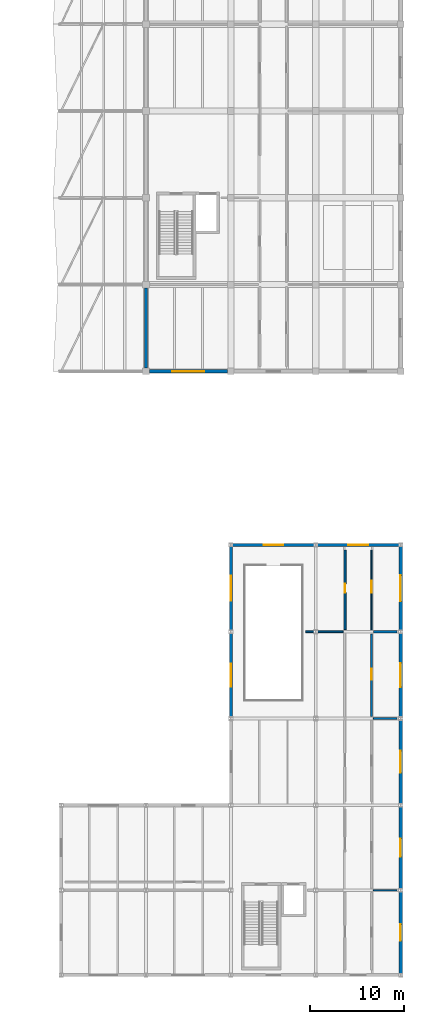
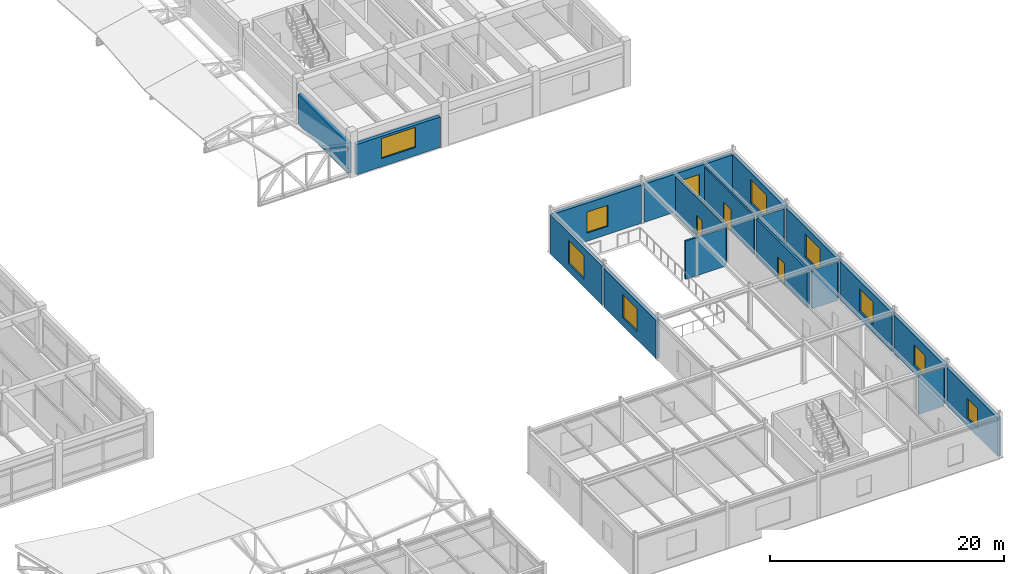
# One storey, part 76 of 90: 18 walls, 10 windows, 3 doors, 13 openings.
"""IFC4 building model written with IfcOpenShell, lengths in metres."""

from ifc_helpers import new_model, si_unit, direction, frame, frame_2d, origin, place, context, subcontext, project, spatial, rectangle, extrude, material, layer, layer_set, type_object, element, fill, save


model = new_model("IFC4")

# Units and contexts
model_context = context("Model", 3, precision=1e-05, world=origin(), true_north=direction((0.0, 1.0)))
body_context = subcontext(model_context, "Body", "Model", "MODEL_VIEW")
ifc_project = project(units=[si_unit("LENGTHUNIT", "METRE"), si_unit("AREAUNIT", "SQUARE_METRE"), si_unit("VOLUMEUNIT", "CUBIC_METRE"), si_unit("PLANEANGLEUNIT", "RADIAN"), si_unit("MASSUNIT", "GRAM", prefix="KILO")], contexts=[model_context])

# Site, building, storey
site_placement = place(None, origin())
site = spatial("IfcSite", under=ifc_project, at=site_placement, CompositionType="ELEMENT")
building_placement = place(site_placement, origin())
building = spatial("IfcBuilding", under=site, at=building_placement, Name="Bozkorgan Art Gallery", CompositionType="ELEMENT")
storey_placement = place(building_placement, frame((0.0, 0.0, 5.39990234375)))
storey = spatial("IfcBuildingStorey", under=building, at=storey_placement, Name="L01", CompositionType="ELEMENT", Elevation=5.39990234375)

# Wall, opening, door
ifc_material_1 = material(Name="Acoustic Gypsum & Mineral Wool Partition")
ifc_layer_1 = layer(ifc_material_1, 0.2099609375, Name="Acoustic Gypsum & Mineral Wool Partition")
ifc_layer_set_1 = layer_set([ifc_layer_1], Name="Acoustic Gypsum & Mineral Wool Partition")
wall_type_1 = type_object("IfcWallType", Name="IWALL-PR-38", PredefinedType="PARTITIONING", material=ifc_layer_set_1)
wall_1_placement = place(storey_placement, frame((158.10009765625, 38.6201171875, 0.0), z_axis=(0.0, 0.0, 1.0), x_axis=(0.0, 1.0, 0.0)))
wall_1 = element("IfcWall", 1, at=wall_1_placement, inside=storey, type_object=wall_type_1, Name="V6 L01 acoustic partition wall 370", PredefinedType="PARTITIONING", context=body_context, shape_type="SweptSolid", body=[
    extrude(rectangle(XDim=8.43994140625, YDim=0.2099609375, at=frame_2d((4.219970703125, 0.0))), origin(), (0.0, 0.0, 1.0), 3.985107421875),
])
opening_1_placement = place(wall_1_placement, frame((4.87109375, 0.0, 0.0), z_axis=(0.0, 0.0, 1.0), x_axis=(-1.0, 0.0, 0.0)))
opening_1 = element("IfcOpeningElement", 2, at=opening_1_placement, cuts=wall_1, Name="Opening FD-92", PredefinedType="OPENING", context=body_context, shape_type="SweptSolid", body=[
    extrude(rectangle(XDim=0.949951171875, YDim=2.14990234375, at=frame_2d((0.47509765625, 1.074951171875))), frame((0.0, 0.114990234375, 0.0), z_axis=(0.0, -1.0, 0.0), x_axis=(1.0, 0.0, 0.0)), (0.0, 0.0, 1.0), 0.22998046875),
])
ifc_material_2 = material(Name="Oiled European Oak Joinery")
door_type_1 = type_object("IfcDoorType", Name="IDOOR-FD-92", OperationType="NOTDEFINED", PredefinedType="DOOR", material=ifc_material_2)
door_1_placement = place(opening_1_placement, origin())
door_1 = element("IfcDoor", 3, at=door_1_placement, inside=storey, type_object=door_type_1, Name="Paper Drying Store Door", OperationType="SINGLE_SWING_RIGHT", OverallHeight=2.14990234375, OverallWidth=0.949951171875, PredefinedType="DOOR", context=body_context, shape_type="SweptSolid", body=[
    extrude(rectangle(XDim=0.949951171875, YDim=2.14990234375, at=frame_2d((0.47509765625, 1.074951171875))), frame((0.0, 0.02490234375, 0.0), z_axis=(0.0, -1.0, 0.0), x_axis=(1.0, 0.0, 0.0)), (0.0, 0.0, 1.0), 0.050048828125),
])
fill(opening_1, door_1)

wall_2_placement = place(storey_placement, frame((160.89990234375, 29.419921875, 0.0), z_axis=(0.0, 0.0, 1.0), x_axis=(0.0, 1.0, 0.0)))
wall_2 = element("IfcWall", 4, at=wall_2_placement, inside=storey, type_object=wall_type_1, Name="V6 L01 acoustic partition wall 376", PredefinedType="PARTITIONING", context=body_context, shape_type="SweptSolid", body=[
    extrude(rectangle(XDim=8.760009765625, YDim=0.2099609375, at=frame_2d((4.3798828125, 0.0))), origin(), (0.0, 0.0, 1.0), 3.985107421875),
])
opening_2_placement = place(wall_2_placement, frame((3.8798828125, 0.0, 0.0)))
opening_2 = element("IfcOpeningElement", 5, at=opening_2_placement, cuts=wall_2, Name="Opening FD-03", PredefinedType="OPENING", context=body_context, shape_type="SweptSolid", body=[
    extrude(rectangle(XDim=1.159912109375, YDim=2.280029296875, at=frame_2d((0.580078125, 1.14013671875))), frame((0.0, 0.114990234375, 0.0), z_axis=(0.0, -1.0, 0.0), x_axis=(1.0, 0.0, 0.0)), (0.0, 0.0, 1.0), 0.22998046875),
])
door_type_2 = type_object("IfcDoorType", Name="IDOOR-FD-03", OperationType="NOTDEFINED", PredefinedType="DOOR", material=ifc_material_2)
door_2_placement = place(opening_2_placement, origin())
door_2 = element("IfcDoor", 6, at=door_2_placement, inside=storey, type_object=door_type_2, Name="Digital Media Classroom Door", OperationType="SINGLE_SWING_RIGHT", OverallHeight=2.280029296875, OverallWidth=1.159912109375, PredefinedType="DOOR", context=body_context, shape_type="SweptSolid", body=[
    extrude(rectangle(XDim=1.159912109375, YDim=2.280029296875, at=frame_2d((0.580078125, 1.14013671875))), frame((0.0, 0.02490234375, 0.0), z_axis=(0.0, -1.0, 0.0), x_axis=(1.0, 0.0, 0.0)), (0.0, 0.0, 1.0), 0.050048828125),
])
fill(opening_2, door_2)

ifc_layer_2 = layer(ifc_material_1, 0.1298828125, Name="Acoustic Gypsum & Mineral Wool Partition")
ifc_layer_set_2 = layer_set([ifc_layer_2], Name="Acoustic Gypsum & Mineral Wool Partition")
wall_type_2 = type_object("IfcWallType", Name="IWALL-PR-76", PredefinedType="PARTITIONING", material=ifc_layer_set_2)
wall_3_placement = place(storey_placement, frame((160.89990234375, 38.6201171875, 0.0), z_axis=(0.0, 0.0, 1.0), x_axis=(0.0, 1.0, 0.0)))
wall_3 = element("IfcWall", 7, at=wall_3_placement, inside=storey, type_object=wall_type_2, Name="V6 L01 acoustic partition wall 378", PredefinedType="PARTITIONING", context=body_context, shape_type="SweptSolid", body=[
    extrude(rectangle(XDim=8.43994140625, YDim=0.1298828125, at=frame_2d((4.219970703125, 0.0))), origin(), (0.0, 0.0, 1.0), 3.985107421875),
])
opening_3_placement = place(wall_3_placement, frame((3.921142578125, 0.0, 0.0)))
opening_3 = element("IfcOpeningElement", 8, at=opening_3_placement, cuts=wall_3, Name="Opening FD-40", PredefinedType="OPENING", context=body_context, shape_type="SweptSolid", body=[
    extrude(rectangle(XDim=1.239990234375, YDim=2.320068359375, at=frame_2d((0.6201171875, 1.16015625))), frame((0.0, 0.074951171875, 0.0), z_axis=(0.0, -1.0, 0.0), x_axis=(1.0, 0.0, 0.0)), (0.0, 0.0, 1.0), 0.14990234375),
])
door_type_3 = type_object("IfcDoorType", Name="IDOOR-FD-40", OperationType="NOTDEFINED", PredefinedType="DOOR", material=ifc_material_2)
door_3_placement = place(opening_3_placement, origin())
door_3 = element("IfcDoor", 9, at=door_3_placement, inside=storey, type_object=door_type_3, Name="Art Reference Reading Room Door", OperationType="SINGLE_SWING_LEFT", OverallHeight=2.320068359375, OverallWidth=1.239990234375, PredefinedType="DOOR", context=body_context, shape_type="SweptSolid", body=[
    extrude(rectangle(XDim=1.239990234375, YDim=2.320068359375, at=frame_2d((0.6201171875, 1.16015625))), frame((0.0, 0.02490234375, 0.0), z_axis=(0.0, -1.0, 0.0), x_axis=(1.0, 0.0, 0.0)), (0.0, 0.0, 1.0), 0.050048828125),
])
fill(opening_3, door_3)

# Walls
ifc_layer_3 = layer(ifc_material_1, 0.18994140625, Name="Acoustic Gypsum & Mineral Wool Partition")
ifc_layer_set_3 = layer_set([ifc_layer_3], Name="Acoustic Gypsum & Mineral Wool Partition")
wall_type_3 = type_object("IfcWallType", Name="IWALL-PW-23", PredefinedType="PARTITIONING", material=ifc_layer_set_3)
wall_4_placement = place(storey_placement, frame((153.929931640625, 38.39990234375, 0.0), z_axis=(0.0, 0.0, 1.0), x_axis=(1.0, 0.0, 0.0)))
element("IfcWall", 10, at=wall_4_placement, inside=storey, type_object=wall_type_3, Name="V6 L01 acoustic partition wall 369", PredefinedType="PARTITIONING", context=body_context, shape_type="SweptSolid", body=[
    extrude(rectangle(XDim=3.969970703125, YDim=0.18994140625, at=frame_2d((1.98486328125, 0.0))), origin(), (0.0, 0.0, 1.0), 3.985107421875),
])
wall_5_placement = place(storey_placement, frame((161.10009765625, 29.199951171875, 0.0), z_axis=(0.0, 0.0, 1.0), x_axis=(1.0, 0.0, 0.0)))
element("IfcWall", 11, at=wall_5_placement, inside=storey, type_object=wall_type_3, Name="V6 L01 acoustic partition wall 375", PredefinedType="PARTITIONING", context=body_context, shape_type="SweptSolid", body=[
    extrude(rectangle(XDim=2.5, YDim=0.18994140625, at=frame_2d((1.25, 0.0))), origin(), (0.0, 0.0, 1.0), 3.985107421875),
])
ifc_layer_4 = layer(ifc_material_1, 0.22998046875, Name="Acoustic Gypsum & Mineral Wool Partition")
ifc_layer_set_4 = layer_set([ifc_layer_4], Name="Acoustic Gypsum & Mineral Wool Partition")
wall_type_4 = type_object("IfcWallType", Name="IWALL-PW-96", PredefinedType="PARTITIONING", material=ifc_layer_set_4)
wall_6_placement = place(storey_placement, frame((161.10009765625, 38.39990234375, 0.0), z_axis=(0.0, 0.0, 1.0), x_axis=(1.0, 0.0, 0.0)))
element("IfcWall", 12, at=wall_6_placement, inside=storey, type_object=wall_type_4, Name="V6 L01 acoustic partition wall 377", PredefinedType="PARTITIONING", context=body_context, shape_type="SweptSolid", body=[
    extrude(rectangle(XDim=2.5, YDim=0.22998046875, at=frame_2d((1.25, 0.0))), origin(), (0.0, 0.0, 1.0), 3.985107421875),
])
ifc_layer_5 = layer(ifc_material_1, 0.1298828125, Name="Acoustic Gypsum & Mineral Wool Partition")
ifc_layer_set_5 = layer_set([ifc_layer_5], Name="Acoustic Gypsum & Mineral Wool Partition")
wall_type_5 = type_object("IfcWallType", Name="IWALL-PW-97", PredefinedType="PARTITIONING", material=ifc_layer_set_5)
wall_7_placement = place(storey_placement, frame((161.10009765625, 11.0, 0.0), z_axis=(0.0, 0.0, 1.0), x_axis=(1.0, 0.0, 0.0)))
element("IfcWall", 13, at=wall_7_placement, inside=storey, type_object=wall_type_5, Name="V6 L01 acoustic partition wall 372", PredefinedType="PARTITIONING", context=body_context, shape_type="SweptSolid", body=[
    extrude(rectangle(XDim=2.5, YDim=0.1298828125, at=frame_2d((1.25, 0.0))), origin(), (0.0, 0.0, 1.0), 3.985107421875),
])

# Wall, opening, window
ifc_material_3 = material(Name="Pressed Terracotta Brick Masonry", Category="masonry")
ifc_layer_6 = layer(ifc_material_3, 0.340087890625, Name="Pressed Terracotta Brick Masonry")
ifc_layer_set_6 = layer_set([ifc_layer_6], Name="Pressed Terracotta Brick Masonry")
wall_type_6 = type_object("IfcWallType", Name="WALL-WB-71", PredefinedType="STANDARD", material=ifc_layer_set_6)
wall_8_placement = place(storey_placement, frame((164.0, 2.159912109375, 0.0), z_axis=(0.0, 0.0, 1.0), x_axis=(0.0, 1.0, 0.0)))
wall_8 = element("IfcWall", 14, at=wall_8_placement, inside=storey, type_object=wall_type_6, Name="V6 L01 exterior facade wall 1E-8", PredefinedType="STANDARD", context=body_context, shape_type="SweptSolid", body=[
    extrude(rectangle(XDim=8.68017578125, YDim=0.340087890625, at=frame_2d((4.340087890625, 0.0))), origin(), (0.0, 0.0, 1.0), 3.985107421875),
])
opening_4_placement = place(wall_8_placement, frame((5.215087890625, 0.0, 0.85009765625), z_axis=(0.0, 0.0, 1.0), x_axis=(-1.0, 0.0, 0.0)))
opening_4 = element("IfcOpeningElement", 15, at=opening_4_placement, cuts=wall_8, Name="Opening WN-98", PredefinedType="OPENING", context=body_context, shape_type="SweptSolid", body=[
    extrude(rectangle(XDim=1.75, YDim=2.050048828125, at=frame_2d((0.875, 1.02490234375))), frame((0.0, 0.18017578125, 0.0), z_axis=(0.0, -1.0, 0.0), x_axis=(1.0, 0.0, 0.0)), (0.0, 0.0, 1.0), 0.360107421875),
])
ifc_material_4 = material(Name="Triple Low-E Laminated Glass", Category="glass")
window_type_1 = type_object("IfcWindowType", Name="WIN-WN-98", PartitioningType="SINGLE_PANEL", PredefinedType="WINDOW", material=ifc_material_4)
window_1_placement = place(opening_4_placement, origin())
window_1 = element("IfcWindow", 16, at=window_1_placement, inside=storey, type_object=window_type_1, Name="V6 L01 gallery window 1E-8", OverallHeight=2.050048828125, OverallWidth=1.75, PartitioningType="SINGLE_PANEL", PredefinedType="WINDOW", context=body_context, shape_type="SweptSolid", body=[
    extrude(rectangle(XDim=1.75, YDim=2.050048828125, at=frame_2d((0.875, 1.02490234375))), frame((0.0, 0.030029296875, 0.0), z_axis=(0.0, -1.0, 0.0), x_axis=(1.0, 0.0, 0.0)), (0.0, 0.0, 1.0), 0.06005859375),
])
fill(opening_4, window_1)

wall_9_placement = place(storey_placement, frame((164.0, 11.159912109375, 0.0), z_axis=(0.0, 0.0, 1.0), x_axis=(0.0, 1.0, 0.0)))
wall_9 = element("IfcWall", 17, at=wall_9_placement, inside=storey, type_object=wall_type_6, Name="V6 L01 exterior facade wall 1E-10", PredefinedType="STANDARD", context=body_context, shape_type="SweptSolid", body=[
    extrude(rectangle(XDim=8.68017578125, YDim=0.340087890625, at=frame_2d((4.340087890625, 0.0))), origin(), (0.0, 0.0, 1.0), 3.985107421875),
])
opening_5_placement = place(wall_9_placement, frame((5.31494140625, 0.0, 0.85009765625), z_axis=(0.0, 0.0, 1.0), x_axis=(-1.0, 0.0, 0.0)))
opening_5 = element("IfcOpeningElement", 18, at=opening_5_placement, cuts=wall_9, Name="Opening WN-18", PredefinedType="OPENING", context=body_context, shape_type="SweptSolid", body=[
    extrude(rectangle(XDim=1.949951171875, YDim=2.14990234375, at=frame_2d((0.97509765625, 1.074951171875))), frame((0.0, 0.18017578125, 0.0), z_axis=(0.0, -1.0, 0.0), x_axis=(1.0, 0.0, 0.0)), (0.0, 0.0, 1.0), 0.360107421875),
])
window_type_2 = type_object("IfcWindowType", Name="WIN-WN-18", PartitioningType="SINGLE_PANEL", PredefinedType="WINDOW", material=ifc_material_4)
window_2_placement = place(opening_5_placement, origin())
window_2 = element("IfcWindow", 19, at=window_2_placement, inside=storey, type_object=window_type_2, Name="V6 L01 gallery window 1E-10", OverallHeight=2.14990234375, OverallWidth=1.949951171875, PartitioningType="SINGLE_PANEL", PredefinedType="WINDOW", context=body_context, shape_type="SweptSolid", body=[
    extrude(rectangle(XDim=1.949951171875, YDim=2.14990234375, at=frame_2d((0.97509765625, 1.074951171875))), frame((0.0, 0.030029296875, 0.0), z_axis=(0.0, -1.0, 0.0), x_axis=(1.0, 0.0, 0.0)), (0.0, 0.0, 1.0), 0.06005859375),
])
fill(opening_5, window_2)

wall_10_placement = place(storey_placement, frame((146.14990234375, 47.60009765625, 0.0), z_axis=(0.0, 0.0, 1.0), x_axis=(1.0, 0.0, 0.0)))
wall_10 = element("IfcWall", 20, at=wall_10_placement, inside=storey, type_object=wall_type_6, Name="V6 L01 exterior facade wall 2N-1", PredefinedType="STANDARD", context=body_context, shape_type="SweptSolid", body=[
    extrude(rectangle(XDim=8.7001953125, YDim=0.340087890625, at=frame_2d((4.35009765625, 0.0))), origin(), (0.0, 0.0, 1.0), 3.985107421875),
])
opening_6_placement = place(wall_10_placement, frame((3.324951171875, 0.0, 0.85009765625)))
opening_6 = element("IfcOpeningElement", 21, at=opening_6_placement, cuts=wall_10, Name="Opening WN-39", PredefinedType="OPENING", context=body_context, shape_type="SweptSolid", body=[
    extrude(rectangle(XDim=2.050048828125, YDim=2.199951171875, at=frame_2d((1.02490234375, 1.10009765625))), frame((0.0, 0.18017578125, 0.0), z_axis=(0.0, -1.0, 0.0), x_axis=(1.0, 0.0, 0.0)), (0.0, 0.0, 1.0), 0.360107421875),
])
window_type_3 = type_object("IfcWindowType", Name="WIN-WN-39", PartitioningType="SINGLE_PANEL", PredefinedType="WINDOW", material=ifc_material_4)
window_3_placement = place(opening_6_placement, origin())
window_3 = element("IfcWindow", 22, at=window_3_placement, inside=storey, type_object=window_type_3, Name="V6 L01 gallery window 2N-1", OverallHeight=2.199951171875, OverallWidth=2.050048828125, PartitioningType="SINGLE_PANEL", PredefinedType="WINDOW", context=body_context, shape_type="SweptSolid", body=[
    extrude(rectangle(XDim=2.050048828125, YDim=2.199951171875, at=frame_2d((1.02490234375, 1.10009765625))), frame((0.0, 0.030029296875, 0.0), z_axis=(0.0, -1.0, 0.0), x_axis=(1.0, 0.0, 0.0)), (0.0, 0.0, 1.0), 0.06005859375),
])
fill(opening_6, window_3)

wall_11_placement = place(storey_placement, frame((155.14990234375, 47.60009765625, 0.0), z_axis=(0.0, 0.0, 1.0), x_axis=(1.0, 0.0, 0.0)))
wall_11 = element("IfcWall", 23, at=wall_11_placement, inside=storey, type_object=wall_type_6, Name="V6 L01 exterior facade wall 2N-2", PredefinedType="STANDARD", context=body_context, shape_type="SweptSolid", body=[
    extrude(rectangle(XDim=8.7001953125, YDim=0.340087890625, at=frame_2d((4.35009765625, 0.0))), origin(), (0.0, 0.0, 1.0), 3.985107421875),
])
opening_7_placement = place(wall_11_placement, frame((3.27490234375, 0.0, 0.85009765625)))
opening_7 = element("IfcOpeningElement", 24, at=opening_7_placement, cuts=wall_11, Name="Opening WN-56", PredefinedType="OPENING", context=body_context, shape_type="SweptSolid", body=[
    extrude(rectangle(XDim=2.14990234375, YDim=2.25, at=frame_2d((1.074951171875, 1.125))), frame((0.0, 0.18017578125, 0.0), z_axis=(0.0, -1.0, 0.0), x_axis=(1.0, 0.0, 0.0)), (0.0, 0.0, 1.0), 0.360107421875),
])
window_type_4 = type_object("IfcWindowType", Name="WIN-WN-56", PartitioningType="SINGLE_PANEL", PredefinedType="WINDOW", material=ifc_material_4)
window_4_placement = place(opening_7_placement, origin())
window_4 = element("IfcWindow", 25, at=window_4_placement, inside=storey, type_object=window_type_4, Name="V6 L01 gallery window 2N-2", OverallHeight=2.25, OverallWidth=2.14990234375, PartitioningType="SINGLE_PANEL", PredefinedType="WINDOW", context=body_context, shape_type="SweptSolid", body=[
    extrude(rectangle(XDim=2.14990234375, YDim=2.25, at=frame_2d((1.074951171875, 1.125))), frame((0.0, 0.030029296875, 0.0), z_axis=(0.0, -1.0, 0.0), x_axis=(1.0, 0.0, 0.0)), (0.0, 0.0, 1.0), 0.06005859375),
])
fill(opening_7, window_4)

wall_12_placement = place(storey_placement, frame((164.0, 20.159912109375, 0.0), z_axis=(0.0, 0.0, 1.0), x_axis=(0.0, 1.0, 0.0)))
wall_12 = element("IfcWall", 26, at=wall_12_placement, inside=storey, type_object=wall_type_6, Name="V6 L01 exterior facade wall 2E-4", PredefinedType="STANDARD", context=body_context, shape_type="SweptSolid", body=[
    extrude(rectangle(XDim=8.880126953125, YDim=0.340087890625, at=frame_2d((4.43994140625, 0.0))), origin(), (0.0, 0.0, 1.0), 3.985107421875),
])
opening_8_placement = place(wall_12_placement, frame((5.614990234375, 0.0, 0.85009765625), z_axis=(0.0, 0.0, 1.0), x_axis=(-1.0, 0.0, 0.0)))
opening_8 = element("IfcOpeningElement", 27, at=opening_8_placement, cuts=wall_12, Name="Opening WN-47", PredefinedType="OPENING", context=body_context, shape_type="SweptSolid", body=[
    extrude(rectangle(XDim=2.35009765625, YDim=2.35009765625, at=frame_2d((1.175048828125, 1.175048828125))), frame((0.0, 0.18017578125, 0.0), z_axis=(0.0, -1.0, 0.0), x_axis=(1.0, 0.0, 0.0)), (0.0, 0.0, 1.0), 0.360107421875),
])
window_type_5 = type_object("IfcWindowType", Name="WIN-WN-47", PartitioningType="SINGLE_PANEL", PredefinedType="WINDOW", material=ifc_material_4)
window_5_placement = place(opening_8_placement, origin())
window_5 = element("IfcWindow", 28, at=window_5_placement, inside=storey, type_object=window_type_5, Name="V6 L01 gallery window 2E-4", OverallHeight=2.35009765625, OverallWidth=2.35009765625, PartitioningType="SINGLE_PANEL", PredefinedType="WINDOW", context=body_context, shape_type="SweptSolid", body=[
    extrude(rectangle(XDim=2.35009765625, YDim=2.35009765625, at=frame_2d((1.175048828125, 1.175048828125))), frame((0.0, 0.030029296875, 0.0), z_axis=(0.0, -1.0, 0.0), x_axis=(1.0, 0.0, 0.0)), (0.0, 0.0, 1.0), 0.06005859375),
])
fill(opening_8, window_5)

wall_13_placement = place(storey_placement, frame((146.0, 29.360107421875, 0.0), z_axis=(0.0, 0.0, 1.0), x_axis=(0.0, 1.0, 0.0)))
wall_13 = element("IfcWall", 29, at=wall_13_placement, inside=storey, type_object=wall_type_6, Name="V6 L01 exterior facade wall 2W-5", PredefinedType="STANDARD", context=body_context, shape_type="SweptSolid", body=[
    extrude(rectangle(XDim=8.8798828125, YDim=0.340087890625, at=frame_2d((4.43994140625, 0.0))), origin(), (0.0, 0.0, 1.0), 3.985107421875),
])
opening_9_placement = place(wall_13_placement, frame((3.215087890625, 0.0, 0.85009765625)))
opening_9 = element("IfcOpeningElement", 30, at=opening_9_placement, cuts=wall_13, Name="Opening WN-83", PredefinedType="OPENING", context=body_context, shape_type="SweptSolid", body=[
    extrude(rectangle(XDim=2.449951171875, YDim=2.39990234375, at=frame_2d((1.22509765625, 1.199951171875))), frame((0.0, 0.18017578125, 0.0), z_axis=(0.0, -1.0, 0.0), x_axis=(1.0, 0.0, 0.0)), (0.0, 0.0, 1.0), 0.360107421875),
])
window_type_6 = type_object("IfcWindowType", Name="WIN-WN-83", PartitioningType="SINGLE_PANEL", PredefinedType="WINDOW", material=ifc_material_4)
window_6_placement = place(opening_9_placement, origin())
window_6 = element("IfcWindow", 31, at=window_6_placement, inside=storey, type_object=window_type_6, Name="V6 L01 gallery window 2W-5", OverallHeight=2.39990234375, OverallWidth=2.449951171875, PartitioningType="SINGLE_PANEL", PredefinedType="WINDOW", context=body_context, shape_type="SweptSolid", body=[
    extrude(rectangle(XDim=2.449951171875, YDim=2.39990234375, at=frame_2d((1.22509765625, 1.199951171875))), frame((0.0, 0.030029296875, 0.0), z_axis=(0.0, -1.0, 0.0), x_axis=(1.0, 0.0, 0.0)), (0.0, 0.0, 1.0), 0.06005859375),
])
fill(opening_9, window_6)

wall_14_placement = place(storey_placement, frame((164.0, 29.360107421875, 0.0), z_axis=(0.0, 0.0, 1.0), x_axis=(0.0, 1.0, 0.0)))
wall_14 = element("IfcWall", 32, at=wall_14_placement, inside=storey, type_object=wall_type_6, Name="V6 L01 exterior facade wall 2E-6", PredefinedType="STANDARD", context=body_context, shape_type="SweptSolid", body=[
    extrude(rectangle(XDim=8.8798828125, YDim=0.340087890625, at=frame_2d((4.43994140625, 0.0))), origin(), (0.0, 0.0, 1.0), 3.985107421875),
])
opening_10_placement = place(wall_14_placement, frame((5.715087890625, 0.0, 0.85009765625), z_axis=(0.0, 0.0, 1.0), x_axis=(-1.0, 0.0, 0.0)))
opening_10 = element("IfcOpeningElement", 33, at=opening_10_placement, cuts=wall_14, Name="Opening WN-23", PredefinedType="OPENING", context=body_context, shape_type="SweptSolid", body=[
    extrude(rectangle(XDim=2.550048828125, YDim=2.39990234375, at=frame_2d((1.27490234375, 1.199951171875))), frame((0.0, 0.18017578125, 0.0), z_axis=(0.0, -1.0, 0.0), x_axis=(1.0, 0.0, 0.0)), (0.0, 0.0, 1.0), 0.360107421875),
])
window_type_7 = type_object("IfcWindowType", Name="WIN-WN-23", PartitioningType="SINGLE_PANEL", PredefinedType="WINDOW", material=ifc_material_4)
window_7_placement = place(opening_10_placement, origin())
window_7 = element("IfcWindow", 34, at=window_7_placement, inside=storey, type_object=window_type_7, Name="V6 L01 gallery window 2E-6", OverallHeight=2.39990234375, OverallWidth=2.550048828125, PartitioningType="SINGLE_PANEL", PredefinedType="WINDOW", context=body_context, shape_type="SweptSolid", body=[
    extrude(rectangle(XDim=2.550048828125, YDim=2.39990234375, at=frame_2d((1.27490234375, 1.199951171875))), frame((0.0, 0.030029296875, 0.0), z_axis=(0.0, -1.0, 0.0), x_axis=(1.0, 0.0, 0.0)), (0.0, 0.0, 1.0), 0.06005859375),
])
fill(opening_10, window_7)

wall_15_placement = place(storey_placement, frame((146.0, 38.56005859375, 0.0), z_axis=(0.0, 0.0, 1.0), x_axis=(0.0, 1.0, 0.0)))
wall_15 = element("IfcWall", 35, at=wall_15_placement, inside=storey, type_object=wall_type_6, Name="V6 L01 exterior facade wall 2W-7", PredefinedType="STANDARD", context=body_context, shape_type="SweptSolid", body=[
    extrude(rectangle(XDim=8.8798828125, YDim=0.340087890625, at=frame_2d((4.43994140625, 0.0))), origin(), (0.0, 0.0, 1.0), 4.0751953125),
])
opening_11_placement = place(wall_15_placement, frame((3.114990234375, 0.0, 0.85009765625)))
opening_11 = element("IfcOpeningElement", 36, at=opening_11_placement, cuts=wall_15, Name="Opening WN-80", PredefinedType="OPENING", context=body_context, shape_type="SweptSolid", body=[
    extrude(rectangle(XDim=2.64990234375, YDim=2.449951171875, at=frame_2d((1.324951171875, 1.22509765625))), frame((0.0, 0.18017578125, 0.0), z_axis=(0.0, -1.0, 0.0), x_axis=(1.0, 0.0, 0.0)), (0.0, 0.0, 1.0), 0.360107421875),
])
window_type_8 = type_object("IfcWindowType", Name="WIN-WN-80", PartitioningType="SINGLE_PANEL", PredefinedType="WINDOW", material=ifc_material_4)
window_8_placement = place(opening_11_placement, origin())
window_8 = element("IfcWindow", 37, at=window_8_placement, inside=storey, type_object=window_type_8, Name="V6 L01 gallery window 2W-7", OverallHeight=2.449951171875, OverallWidth=2.64990234375, PartitioningType="SINGLE_PANEL", PredefinedType="WINDOW", context=body_context, shape_type="SweptSolid", body=[
    extrude(rectangle(XDim=2.64990234375, YDim=2.449951171875, at=frame_2d((1.324951171875, 1.22509765625))), frame((0.0, 0.030029296875, 0.0), z_axis=(0.0, -1.0, 0.0), x_axis=(1.0, 0.0, 0.0)), (0.0, 0.0, 1.0), 0.06005859375),
])
fill(opening_11, window_8)

wall_16_placement = place(storey_placement, frame((164.0, 38.56005859375, 0.0), z_axis=(0.0, 0.0, 1.0), x_axis=(0.0, 1.0, 0.0)))
wall_16 = element("IfcWall", 38, at=wall_16_placement, inside=storey, type_object=wall_type_6, Name="V6 L01 exterior facade wall 2E-8", PredefinedType="STANDARD", context=body_context, shape_type="SweptSolid", body=[
    extrude(rectangle(XDim=8.8798828125, YDim=0.340087890625, at=frame_2d((4.43994140625, 0.0))), origin(), (0.0, 0.0, 1.0), 3.985107421875),
])
opening_12_placement = place(wall_16_placement, frame((5.81494140625, 0.0, 0.85009765625), z_axis=(0.0, 0.0, 1.0), x_axis=(-1.0, 0.0, 0.0)))
opening_12 = element("IfcOpeningElement", 39, at=opening_12_placement, cuts=wall_16, Name="Opening WN-02", PredefinedType="OPENING", context=body_context, shape_type="SweptSolid", body=[
    extrude(rectangle(XDim=2.75, YDim=2.449951171875, at=frame_2d((1.375, 1.22509765625))), frame((0.0, 0.18017578125, 0.0), z_axis=(0.0, -1.0, 0.0), x_axis=(1.0, 0.0, 0.0)), (0.0, 0.0, 1.0), 0.360107421875),
])
window_type_9 = type_object("IfcWindowType", Name="WIN-WN-02", PartitioningType="SINGLE_PANEL", PredefinedType="WINDOW", material=ifc_material_4)
window_9_placement = place(opening_12_placement, origin())
window_9 = element("IfcWindow", 40, at=window_9_placement, inside=storey, type_object=window_type_9, Name="V6 L01 gallery window 2E-8", OverallHeight=2.449951171875, OverallWidth=2.75, PartitioningType="SINGLE_PANEL", PredefinedType="WINDOW", context=body_context, shape_type="SweptSolid", body=[
    extrude(rectangle(XDim=2.75, YDim=2.449951171875, at=frame_2d((1.375, 1.22509765625))), frame((0.0, 0.030029296875, 0.0), z_axis=(0.0, -1.0, 0.0), x_axis=(1.0, 0.0, 0.0)), (0.0, 0.0, 1.0), 0.06005859375),
])
fill(opening_12, window_9)

ifc_layer_7 = layer(ifc_material_3, 0.360107421875, Name="Pressed Terracotta Brick Masonry")
ifc_layer_set_7 = layer_set([ifc_layer_7], Name="Pressed Terracotta Brick Masonry")
wall_type_7 = type_object("IfcWallType", Name="WALL-WB-99", PredefinedType="STANDARD", material=ifc_layer_set_7)
wall_17_placement = place(storey_placement, frame((137.35009765625, 66.0, 0.0), z_axis=(0.0, 0.0, 1.0), x_axis=(1.0, 0.0, 0.0)))
wall_17 = element("IfcWall", 41, at=wall_17_placement, inside=storey, type_object=wall_type_7, Name="V5 L01 exterior facade wall 1S-1", PredefinedType="STANDARD", context=body_context, shape_type="SweptSolid", body=[
    extrude(rectangle(XDim=8.2998046875, YDim=0.360107421875, at=frame_2d((4.14990234375, 0.0))), origin(), (0.0, 0.0, 1.0), 3.175048828125),
])
opening_13_placement = place(wall_17_placement, frame((5.849853515625, 0.0, 0.85009765625), z_axis=(0.0, 0.0, 1.0), x_axis=(-1.0, 0.0, 0.0)))
opening_13 = element("IfcOpeningElement", 42, at=opening_13_placement, cuts=wall_17, Name="Opening WN-37", PredefinedType="OPENING", context=body_context, shape_type="SweptSolid", body=[
    extrude(rectangle(XDim=3.39990234375, YDim=2.10009765625, at=frame_2d((1.699951171875, 1.050048828125))), frame((0.0, 0.18994140625, 0.0), z_axis=(0.0, -1.0, 0.0), x_axis=(1.0, 0.0, 0.0)), (0.0, 0.0, 1.0), 0.380126953125),
])
window_type_10 = type_object("IfcWindowType", Name="WIN-WN-37", PartitioningType="SINGLE_PANEL", PredefinedType="WINDOW", material=ifc_material_4)
window_10_placement = place(opening_13_placement, origin())
window_10 = element("IfcWindow", 43, at=window_10_placement, inside=storey, type_object=window_type_10, Name="V5 L01 gallery window 1S-1", OverallHeight=2.10009765625, OverallWidth=3.39990234375, PartitioningType="SINGLE_PANEL", PredefinedType="WINDOW", context=body_context, shape_type="SweptSolid", body=[
    extrude(rectangle(XDim=3.39990234375, YDim=2.10009765625, at=frame_2d((1.699951171875, 1.050048828125))), frame((0.0, 0.030029296875, 0.0), z_axis=(0.0, -1.0, 0.0), x_axis=(1.0, 0.0, 0.0)), (0.0, 0.0, 1.0), 0.06005859375),
])
fill(opening_13, window_10)

# Wall
wall_18_placement = place(storey_placement, frame((137.0, 66.35009765625, 0.0), z_axis=(0.0, 0.0, 1.0), x_axis=(0.0, 1.0, 0.0)))
element("IfcWall", 44, at=wall_18_placement, inside=storey, type_object=wall_type_7, Name="V5 L01 exterior facade wall 1W-7", PredefinedType="STANDARD", context=body_context, shape_type="SweptSolid", body=[
    extrude(rectangle(XDim=8.5, YDim=0.360107421875, at=frame_2d((4.25, 0.0))), origin(), (0.0, 0.0, 1.0), 3.175048828125),
])

save(model, "model.ifc")
